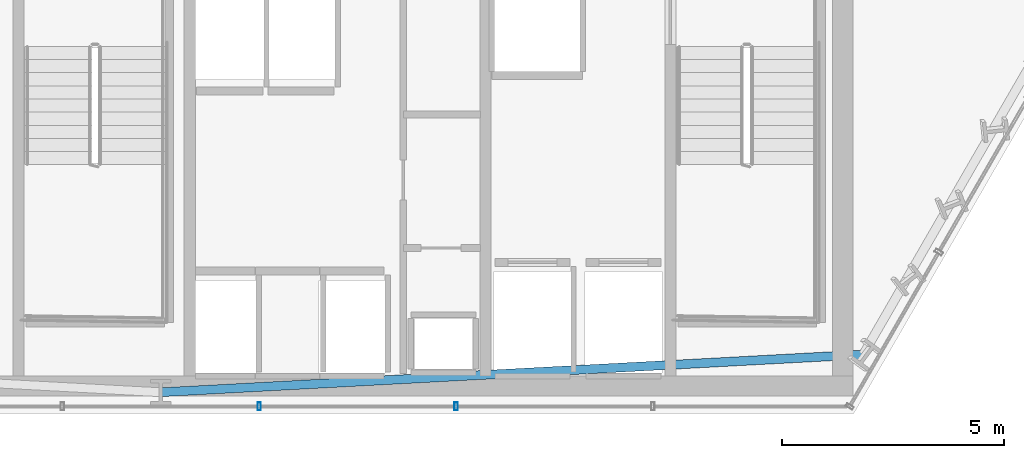
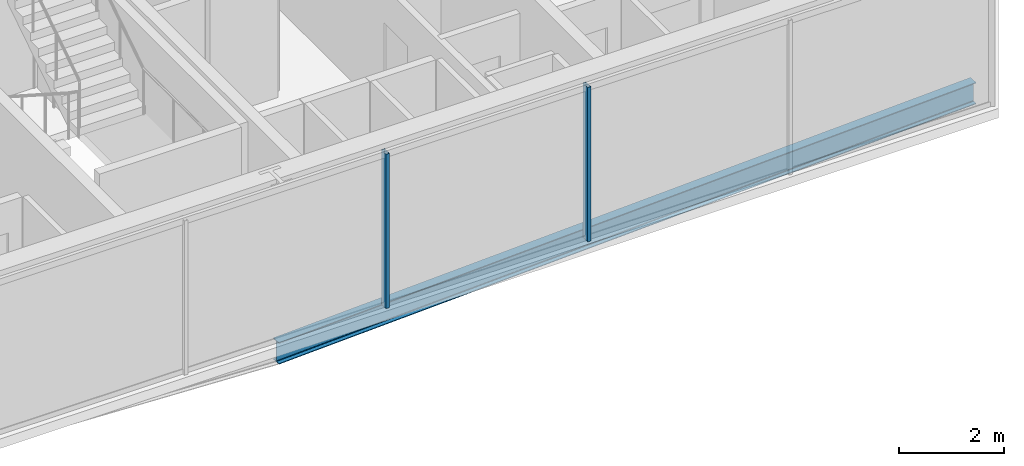
# One storey, part 8 of 32: 2 members, 1 beam, 1 element without a shape of its own.
"""IFC4 building model written with IfcOpenShell, lengths in metres."""

from ifc_helpers import new_model, si_unit, direction, frame, origin, origin_2d, place, context, subcontext, project, spatial, hollow_rectangle, i_section, extrude, material, layer, layer_set, material_profile, profile_set, type_object, element, aggregate, save


model = new_model("IFC4")

# Units and contexts
model_context = context("Model", 3, precision=1e-05, world=origin(), true_north=direction((0.0, 1.0)))
body_context = subcontext(model_context, "Body", "Model", "MODEL_VIEW")
ifc_project = project(units=[si_unit("LENGTHUNIT", "METRE"), si_unit("AREAUNIT", "SQUARE_METRE"), si_unit("VOLUMEUNIT", "CUBIC_METRE"), si_unit("PLANEANGLEUNIT", "RADIAN"), si_unit("MASSUNIT", "GRAM", prefix="KILO")], contexts=[model_context])

# Site, building, storey
site_placement = place(None, origin())
site = spatial("IfcSite", under=ifc_project, at=site_placement, CompositionType="ELEMENT")
building_placement = place(site_placement, origin())
building = spatial("IfcBuilding", under=site, at=building_placement, Name="Ndaravel Arena Tower", CompositionType="ELEMENT")
storey_placement = place(building_placement, frame((0.0, 0.0, 55.0)))
storey = spatial("IfcBuildingStorey", under=building, at=storey_placement, Name="L11", CompositionType="ELEMENT", Elevation=55.0)

# Beam
ifc_material_1 = material(Name="Steel S355", Category="steel")
ifc_material_profile_1 = material_profile(ifc_material_1, i_section(OverallWidth=0.199951171875, OverallDepth=0.5, WebThickness=0.01025390625, FlangeThickness=0.01611328125, FilletRadius=0.02099609375, at=origin_2d()), Name="IPE 500")
ifc_profile_set_1 = profile_set([ifc_material_profile_1], Name="Steel S355")
beam_type = type_object("IfcBeamType", Name="BM-SPAN-IPE500", PredefinedType="SPANDREL", material=ifc_profile_set_1)
beam_placement = place(storey_placement, frame((42.0, 5.47998046875, -0.469970703125), z_axis=(0.998561982084, 0.053609401572, 0.0), x_axis=(-0.053609401572, 0.998561982084, 0.0)))
element("IfcBeam", 1, at=beam_placement, inside=storey, type_object=beam_type, Name="L11 Perimeter Spandrel Beam SP-01", PredefinedType="SPANDREL", context=body_context, shape_type="SweptSolid", body=[
    extrude(i_section(OverallWidth=0.199951171875, OverallDepth=0.5, WebThickness=0.01025390625, FlangeThickness=0.01611328125, FilletRadius=0.02099609375, at=origin_2d()), origin(), (0.0, 0.0, 1.0), 15.80712890625),
])

# Curtain wall, members
ifc_material_2 = material(Name="Aluminium", Category="aluminium")
ifc_layer = layer(ifc_material_2, 0.179931640625)
ifc_layer_set = layer_set([ifc_layer], Name="Aluminium")
curtain_wall_type = type_object("IfcCurtainWallType", Name="CW-SYS-03", PredefinedType="NOTDEFINED", material=ifc_layer_set)
curtain_wall_placement = place(storey_placement, origin())
curtain_wall = element("IfcCurtainWall", 2, at=curtain_wall_placement, inside=storey, type_object=curtain_wall_type, Name="L11 Faceted Crystal Curtain Wall CW-L11-E01", PredefinedType="NOTDEFINED")
ifc_material_3 = material(Name="Aluminium", Category="aluminium")
ifc_material_profile_2 = material_profile(ifc_material_3, hollow_rectangle(XDim=0.074951171875, YDim=0.179931640625, WallThickness=0.00390625, at=origin_2d()), Name="CW MULLION 75x180x4")
ifc_profile_set_2 = profile_set([ifc_material_profile_2], Name="Aluminium")
member_type = type_object("IfcMemberType", Name="MEM-CW-MUL180", PredefinedType="MULLION", material=ifc_profile_set_2)
member_1_placement = place(storey_placement, frame((44.21142578125, 5.159912109375, 0.0), z_axis=(0.0, 0.0, 1.0), x_axis=(1.0, 0.0, 0.0)))
member_1 = element("IfcMember", 3, at=member_1_placement, type_object=member_type, Name="CW-L11-E01 Mullion 04", PredefinedType="MULLION", context=body_context, shape_type="SweptSolid", body=[
    extrude(hollow_rectangle(XDim=0.074951171875, YDim=0.179931640625, WallThickness=0.00390625, at=origin_2d()), origin(), (0.0, 0.0, 1.0), 3.580078125),
])
member_2_placement = place(storey_placement, frame((48.63427734375, 5.159912109375, 0.0), z_axis=(0.0, 0.0, 1.0), x_axis=(1.0, 0.0, 0.0)))
member_2 = element("IfcMember", 4, at=member_2_placement, type_object=member_type, Name="CW-L11-E01 Mullion 05", PredefinedType="MULLION", context=body_context, shape_type="SweptSolid", body=[
    extrude(hollow_rectangle(XDim=0.074951171875, YDim=0.179931640625, WallThickness=0.00390625, at=origin_2d()), origin(), (0.0, 0.0, 1.0), 3.580078125),
])
aggregate(curtain_wall, [member_1, member_2])

save(model, "model.ifc")
